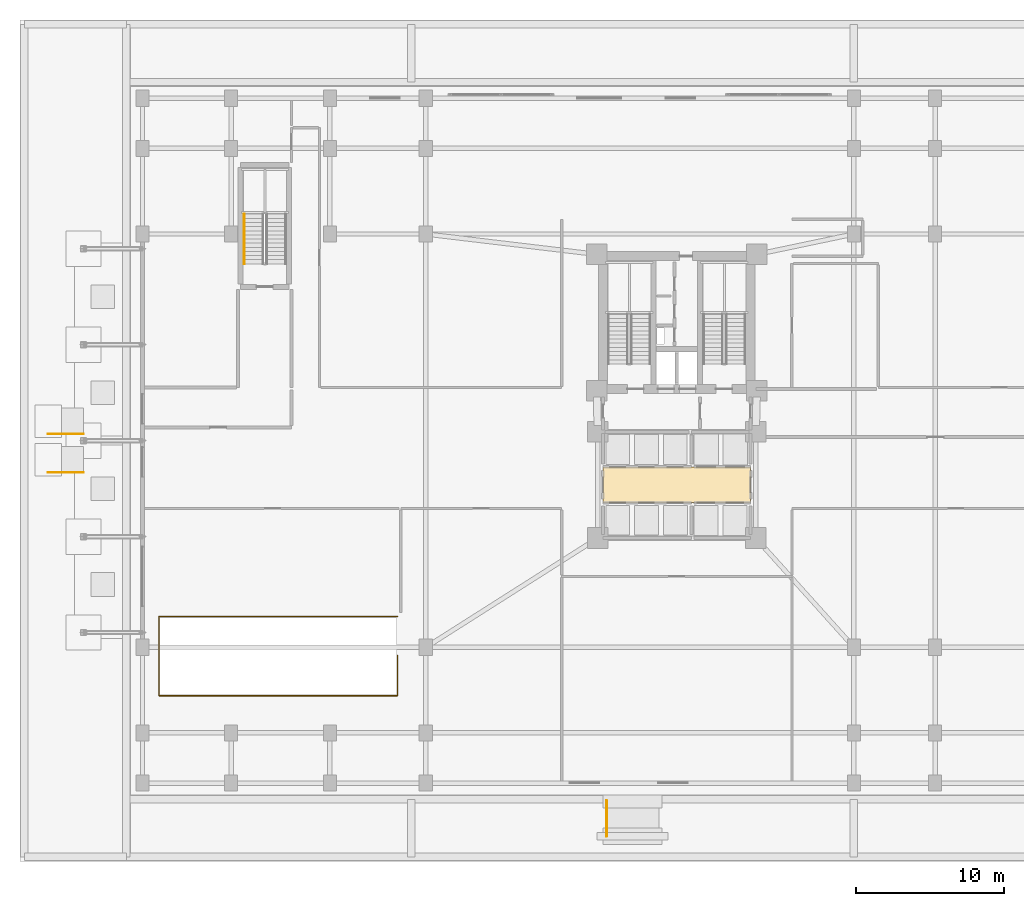
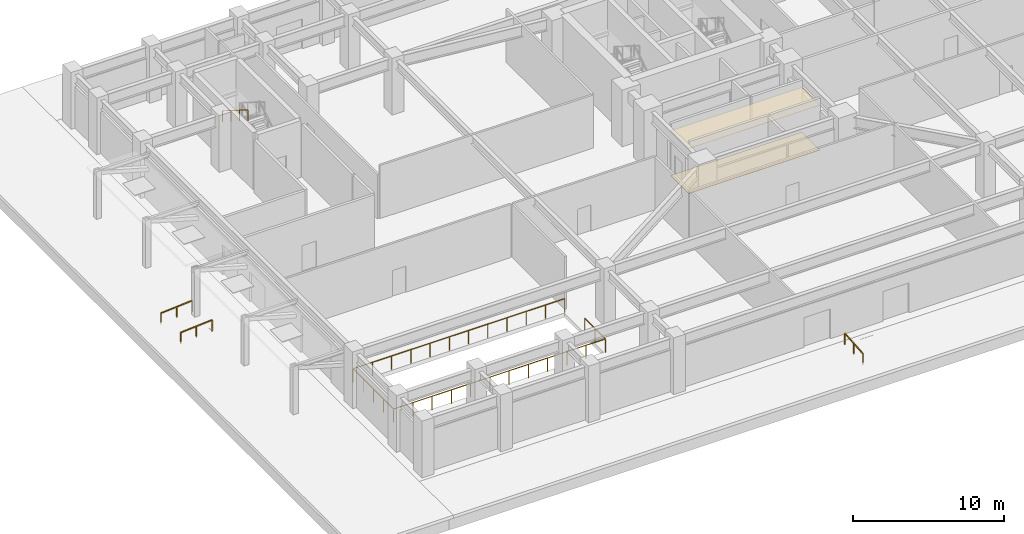
# One storey, part 20 of 23: 5 railings, 2 coverings.
"""IFC4 building model written with IfcOpenShell, lengths in metres."""

from ifc_helpers import new_model, si_unit, direction, frame, origin, origin_2d, place, context, subcontext, project, spatial, polyline, rectangle, outline, extrude, material, layer, layer_set, type_object, element, save


model = new_model("IFC4")

# Units and contexts
model_context = context("Model", 3, precision=1e-05, world=origin(), true_north=direction((0.0, 1.0)))
body_context = subcontext(model_context, "Body", "Model", "MODEL_VIEW")
ifc_project = project(units=[si_unit("LENGTHUNIT", "METRE"), si_unit("AREAUNIT", "SQUARE_METRE"), si_unit("VOLUMEUNIT", "CUBIC_METRE"), si_unit("PLANEANGLEUNIT", "RADIAN"), si_unit("MASSUNIT", "GRAM", prefix="KILO")], contexts=[model_context])

# Site, building, storey
site_placement = place(None, origin())
site = spatial("IfcSite", under=ifc_project, at=site_placement, CompositionType="ELEMENT")
building_placement = place(site_placement, origin())
building = spatial("IfcBuilding", under=site, at=building_placement, Name="Varnakorn Sky Granary", CompositionType="ELEMENT")
storey_placement = place(building_placement, origin())
storey = spatial("IfcBuildingStorey", under=building, at=storey_placement, Name="L00", CompositionType="ELEMENT", Elevation=0.0)

# Coverings
ifc_material_1 = material(Name="Perforated Acoustic Mineral-Fibre Ceiling", Category="gypsum")
ifc_layer_1 = layer(ifc_material_1, 0.02001953125, Name="Perforated Acoustic Mineral-Fibre Ceiling")
ifc_layer_set_1 = layer_set([ifc_layer_1], Name="Perforated Acoustic Mineral-Fibre Ceiling")
covering_type_1 = type_object("IfcCoveringType", Name="CV-CEIL-20", PredefinedType="CEILING", material=ifc_layer_set_1)
covering_1_placement = place(storey_placement, frame((0.0, 0.0, 3.6298828125)))
element("IfcCovering", 1, at=covering_1_placement, inside=storey, type_object=covering_type_1, Name="Lift Lobby Perforated Acoustic Ceiling L00", PredefinedType="CEILING", context=body_context, shape_type="SweptSolid", body=[
    extrude(outline(polyline([(-2.0, -4.199951171875), (8.0, -4.199951171875), (8.0, -1.800048828125), (-2.0, -1.800048828125), (-2.0, -4.199951171875)])), origin(), (0.0, 0.0, 1.0), 0.02001953125),
])
ifc_material_2 = material(Name="Honed Epoxy Terrazzo Topping", Category="concrete")
ifc_layer_2 = layer(ifc_material_2, 0.030029296875, Name="Honed Epoxy Terrazzo Topping")
ifc_layer_set_2 = layer_set([ifc_layer_2], Name="Honed Epoxy Terrazzo Topping")
covering_type_2 = type_object("IfcCoveringType", Name="CV-FLOR-30", PredefinedType="FLOORING", material=ifc_layer_set_2)
covering_2_placement = place(storey_placement, origin())
element("IfcCovering", 2, at=covering_2_placement, inside=storey, type_object=covering_type_2, Name="Lift Lobby Terrazzo Floor Finish L00", PredefinedType="FLOORING", context=body_context, shape_type="SweptSolid", body=[
    extrude(outline(polyline([(-2.0, -4.199951171875), (8.0, -4.199951171875), (8.0, -1.800048828125), (-2.0, -1.800048828125), (-2.0, -4.199951171875)])), origin(), (0.0, 0.0, 1.0), 0.030029296875),
])

# Railings
ifc_material_3 = material(Name="Brushed Stainless Steel 316", Category="steel")
railing_type_1 = type_object("IfcRailingType", Name="RL-STAIR-1100", PredefinedType="GUARDRAIL", material=ifc_material_3)
railing_1_placement = place(storey_placement, frame((-15.919921875, -14.550048828125, 0.0)))
element("IfcRailing", 3, at=railing_1_placement, inside=storey, type_object=railing_type_1, Name="Ramp Slab Opening Perimeter Guard L00", PredefinedType="GUARDRAIL", context=body_context, shape_type="SweptSolid", body=[
    extrude(rectangle(XDim=0.048095703125, YDim=0.048095703125, at=origin_2d()), frame((0.0, 0.0, 1.09619140625), z_axis=(0.0, -1.0, 0.0), x_axis=(1.0, 0.0, 0.0)), (0.0, 0.0, 1.0), 2.701904296875),
    extrude(rectangle(XDim=0.048095703125, YDim=0.048095703125, at=origin_2d()), frame((-0.028076171875, -2.72998046875, 1.09619140625), z_axis=(-1.0, 0.0, 0.0), x_axis=(0.0, -1.0, 0.0)), (0.0, 0.0, 1.0), 16.104248046875),
    extrude(rectangle(XDim=0.048095703125, YDim=0.048095703125, at=origin_2d()), frame((-16.16015625, -2.701904296875, 1.09619140625), z_axis=(0.0, 1.0, 0.0), x_axis=(-1.0, 0.0, 0.0)), (0.0, 0.0, 1.0), 5.30419921875),
    extrude(rectangle(XDim=0.048095703125, YDim=0.048095703125, at=origin_2d()), frame((-16.132080078125, 2.630126953125, 1.09619140625), z_axis=(1.0, 0.0, 0.0), x_axis=(0.0, 1.0, 0.0)), (0.0, 0.0, 1.0), 16.132080078125),
    extrude(rectangle(XDim=0.0419921875, YDim=0.0419921875, at=origin_2d()), origin(), (0.0, 0.0, 1.0), 1.068115234375),
    extrude(rectangle(XDim=0.0419921875, YDim=0.0419921875, at=origin_2d()), frame((0.0, -1.364990234375, 0.0)), (0.0, 0.0, 1.0), 1.068115234375),
    extrude(rectangle(XDim=0.0419921875, YDim=0.0419921875, at=origin_2d()), frame((0.0, -2.72998046875, 0.0)), (0.0, 0.0, 1.0), 1.068115234375),
    extrude(rectangle(XDim=0.0419921875, YDim=0.0419921875, at=origin_2d()), frame((-1.468994140625, -2.72998046875, 0.0)), (0.0, 0.0, 1.0), 1.068115234375),
    extrude(rectangle(XDim=0.0419921875, YDim=0.0419921875, at=origin_2d()), frame((-2.938232421875, -2.72998046875, 0.0)), (0.0, 0.0, 1.0), 1.068115234375),
    extrude(rectangle(XDim=0.0419921875, YDim=0.0419921875, at=origin_2d()), frame((-4.4072265625, -2.72998046875, 0.0)), (0.0, 0.0, 1.0), 1.068115234375),
    extrude(rectangle(XDim=0.0419921875, YDim=0.0419921875, at=origin_2d()), frame((-5.87646484375, -2.72998046875, 0.0)), (0.0, 0.0, 1.0), 1.068115234375),
    extrude(rectangle(XDim=0.0419921875, YDim=0.0419921875, at=origin_2d()), frame((-7.345458984375, -2.72998046875, 0.0)), (0.0, 0.0, 1.0), 1.068115234375),
    extrude(rectangle(XDim=0.0419921875, YDim=0.0419921875, at=origin_2d()), frame((-8.814697265625, -2.72998046875, 0.0)), (0.0, 0.0, 1.0), 1.068115234375),
    extrude(rectangle(XDim=0.0419921875, YDim=0.0419921875, at=origin_2d()), frame((-10.28369140625, -2.72998046875, 0.0)), (0.0, 0.0, 1.0), 1.068115234375),
    extrude(rectangle(XDim=0.0419921875, YDim=0.0419921875, at=origin_2d()), frame((-11.7529296875, -2.72998046875, 0.0)), (0.0, 0.0, 1.0), 1.068115234375),
    extrude(rectangle(XDim=0.0419921875, YDim=0.0419921875, at=origin_2d()), frame((-13.221923828125, -2.72998046875, 0.0)), (0.0, 0.0, 1.0), 1.068115234375),
    extrude(rectangle(XDim=0.0419921875, YDim=0.0419921875, at=origin_2d()), frame((-14.691162109375, -2.72998046875, 0.0)), (0.0, 0.0, 1.0), 1.068115234375),
    extrude(rectangle(XDim=0.0419921875, YDim=0.0419921875, at=origin_2d()), frame((-16.16015625, -2.72998046875, 0.0)), (0.0, 0.0, 1.0), 1.068115234375),
    extrude(rectangle(XDim=0.0419921875, YDim=0.0419921875, at=origin_2d()), frame((-16.16015625, -1.389892578125, 0.0)), (0.0, 0.0, 1.0), 1.068115234375),
    extrude(rectangle(XDim=0.0419921875, YDim=0.0419921875, at=origin_2d()), frame((-16.16015625, -0.0498046875, 0.0)), (0.0, 0.0, 1.0), 1.068115234375),
    extrude(rectangle(XDim=0.0419921875, YDim=0.0419921875, at=origin_2d()), frame((-16.16015625, 1.2900390625, 0.0)), (0.0, 0.0, 1.0), 1.068115234375),
    extrude(rectangle(XDim=0.0419921875, YDim=0.0419921875, at=origin_2d()), frame((-16.16015625, 2.630126953125, 0.0)), (0.0, 0.0, 1.0), 1.068115234375),
    extrude(rectangle(XDim=0.0419921875, YDim=0.0419921875, at=origin_2d()), frame((-14.691162109375, 2.630126953125, 0.0)), (0.0, 0.0, 1.0), 1.068115234375),
    extrude(rectangle(XDim=0.0419921875, YDim=0.0419921875, at=origin_2d()), frame((-13.221923828125, 2.630126953125, 0.0)), (0.0, 0.0, 1.0), 1.068115234375),
    extrude(rectangle(XDim=0.0419921875, YDim=0.0419921875, at=origin_2d()), frame((-11.7529296875, 2.630126953125, 0.0)), (0.0, 0.0, 1.0), 1.068115234375),
    extrude(rectangle(XDim=0.0419921875, YDim=0.0419921875, at=origin_2d()), frame((-10.28369140625, 2.630126953125, 0.0)), (0.0, 0.0, 1.0), 1.068115234375),
    extrude(rectangle(XDim=0.0419921875, YDim=0.0419921875, at=origin_2d()), frame((-8.814697265625, 2.630126953125, 0.0)), (0.0, 0.0, 1.0), 1.068115234375),
    extrude(rectangle(XDim=0.0419921875, YDim=0.0419921875, at=origin_2d()), frame((-7.345458984375, 2.630126953125, 0.0)), (0.0, 0.0, 1.0), 1.068115234375),
    extrude(rectangle(XDim=0.0419921875, YDim=0.0419921875, at=origin_2d()), frame((-5.87646484375, 2.630126953125, 0.0)), (0.0, 0.0, 1.0), 1.068115234375),
    extrude(rectangle(XDim=0.0419921875, YDim=0.0419921875, at=origin_2d()), frame((-4.4072265625, 2.630126953125, 0.0)), (0.0, 0.0, 1.0), 1.068115234375),
    extrude(rectangle(XDim=0.0419921875, YDim=0.0419921875, at=origin_2d()), frame((-2.938232421875, 2.630126953125, 0.0)), (0.0, 0.0, 1.0), 1.068115234375),
    extrude(rectangle(XDim=0.0419921875, YDim=0.0419921875, at=origin_2d()), frame((-1.468994140625, 2.630126953125, 0.0)), (0.0, 0.0, 1.0), 1.068115234375),
    extrude(rectangle(XDim=0.0419921875, YDim=0.0419921875, at=origin_2d()), frame((0.0, 2.630126953125, 0.0)), (0.0, 0.0, 1.0), 1.068115234375),
])
railing_type_2 = type_object("IfcRailingType", Name="RL-STAIR-920", PredefinedType="HANDRAIL", material=ifc_material_3)
railing_2_placement = place(storey_placement, frame((-26.31005859375, 15.340087890625, 2.476806640625)))
element("IfcRailing", 4, at=railing_2_placement, inside=storey, type_object=railing_type_2, Name="L00 ST-B3 stair handrail 2", PredefinedType="HANDRAIL", context=body_context, shape_type="SweptSolid", body=[
    extrude(rectangle(XDim=0.048095703125, YDim=0.048095703125, at=origin_2d()), frame((0.0, 0.0, 0.8759765625), z_axis=(0.0, -0.845361898145, 0.534194029511), x_axis=(1.0, 0.0, 0.0)), (0.0, 0.0, 1.0), 3.974853515625),
    extrude(rectangle(XDim=0.0419921875, YDim=0.0419921875, at=origin_2d()), origin(), (0.0, 0.0, 1.0), 0.847900390625),
    extrude(rectangle(XDim=0.0419921875, YDim=0.0419921875, at=origin_2d()), frame((0.0, -1.1201171875, 0.707763671875)), (0.0, 0.0, 1.0), 0.847900390625),
    extrude(rectangle(XDim=0.0419921875, YDim=0.0419921875, at=origin_2d()), frame((0.0, -2.239990234375, 1.41552734375)), (0.0, 0.0, 1.0), 0.847900390625),
    extrude(rectangle(XDim=0.0419921875, YDim=0.0419921875, at=origin_2d()), frame((0.0, -3.360107421875, 2.123291015625)), (0.0, 0.0, 1.0), 0.847900390625),
])
for number, where, name in (
    (5, (-39.60009765625, -2.14990234375, -0.179931640625), "Accessible Plaza Ramp Handrail 1"),
    (6, (-39.60009765625, 0.449951171875, -0.179931640625), "Accessible Plaza Ramp Handrail 3"),
):
    element("IfcRailing", number, at=place(storey_placement, frame(where)), inside=storey, type_object=railing_type_2, Name=name, PredefinedType="HANDRAIL", context=body_context, shape_type="SweptSolid", body=[
        extrude(rectangle(XDim=0.048095703125, YDim=0.048095703125, at=origin_2d()), frame((0.0, 0.0, 0.89599609375), z_axis=(0.997201767984, 0.0, 0.074757166413), x_axis=(0.0, 1.0, 0.0)), (0.0, 0.0, 1.0), 2.406982421875),
        extrude(rectangle(XDim=0.0419921875, YDim=0.0419921875, at=origin_2d()), origin(), (0.0, 0.0, 1.0), 0.867919921875),
        extrude(rectangle(XDim=0.0419921875, YDim=0.0419921875, at=origin_2d()), frame((1.2001953125, 0.0, 0.08984375)), (0.0, 0.0, 1.0), 0.867919921875),
        extrude(rectangle(XDim=0.0419921875, YDim=0.0419921875, at=origin_2d()), frame((2.400146484375, 0.0, 0.179931640625)), (0.0, 0.0, 1.0), 0.867919921875),
    ])
railing_3_placement = place(storey_placement, frame((-1.75, -26.800048828125, -0.179931640625)))
element("IfcRailing", 7, at=railing_3_placement, inside=storey, type_object=railing_type_2, Name="Accessible Plaza Ramp Handrail 5", PredefinedType="HANDRAIL", context=body_context, shape_type="SweptSolid", body=[
    extrude(rectangle(XDim=0.048095703125, YDim=0.048095703125, at=origin_2d()), frame((0.0, 0.0, 0.89599609375), z_axis=(0.0, 0.997201767984, 0.074757166413), x_axis=(-1.0, 0.0, 0.0)), (0.0, 0.0, 1.0), 2.406982421875),
    extrude(rectangle(XDim=0.0419921875, YDim=0.0419921875, at=origin_2d()), origin(), (0.0, 0.0, 1.0), 0.867919921875),
    extrude(rectangle(XDim=0.0419921875, YDim=0.0419921875, at=origin_2d()), frame((0.0, 1.2001953125, 0.08984375)), (0.0, 0.0, 1.0), 0.867919921875),
    extrude(rectangle(XDim=0.0419921875, YDim=0.0419921875, at=origin_2d()), frame((0.0, 2.400146484375, 0.179931640625)), (0.0, 0.0, 1.0), 0.867919921875),
])

save(model, "model.ifc")
